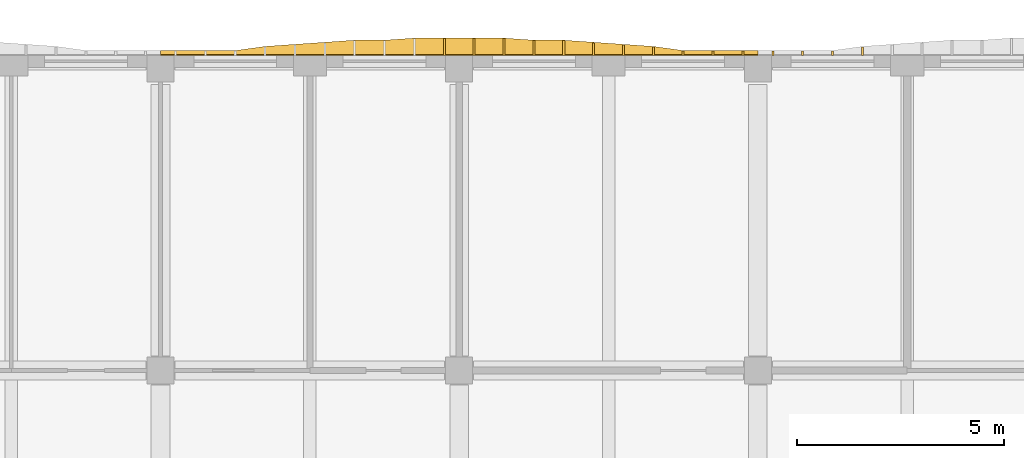
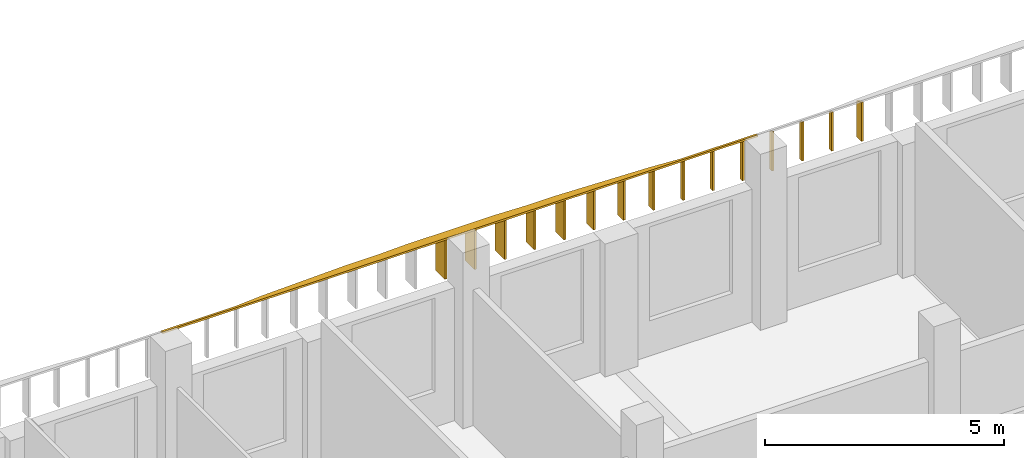
# One storey, part 45 of 58: 16 shading devices.
"""IFC4 building model written with IfcOpenShell, lengths in metres."""

import ifcopenshell
import ifcopenshell.guid

model = None  # the IFC model being written
_history = None  # IfcOwnerHistory: only IFC2X3 demands one
_inside = {}  # id of a spatial element -> (the spatial element, [elements in it])
_under = {}  # id of a project, library or spatial element -> (it, [spatial elements below it])
_declared = {}  # id of a project -> (the project, [libraries it declares])
_typed = {}  # id of a type object -> (the type object, [elements of that type])
_made_of = {}  # id of a material, layer set ... -> (it, [elements and type objects made of it])


def new_model(schema):
    """Start an empty IFC model of exactly this schema.

    Asked for "IFC4X3", IfcOpenShell would pick the latest addendum, in which some entities
    have other attributes; the version numbers below select the first issue.
    IFC2X3 requires an IfcOwnerHistory on every rooted entity: one is made here for all.
    """
    global model, _history
    if schema == "IFC4X3":
        model = ifcopenshell.file(schema_version=(4, 3, 0, 0))
    else:
        model = ifcopenshell.file(schema=schema)
    _inside.clear()
    _under.clear()
    _declared.clear()
    _typed.clear()
    _made_of.clear()
    _history = None
    if model.schema == "IFC2X3":
        org = make("IfcOrganization", Name="unknown")
        user = make(
            "IfcPersonAndOrganization",
            ThePerson=make("IfcPerson", FamilyName="unknown"),
            TheOrganization=org,
        )
        app = make(
            "IfcApplication",
            ApplicationDeveloper=org,
            Version="unknown",
            ApplicationFullName="unknown",
            ApplicationIdentifier="unknown",
        )
        _history = make(
            "IfcOwnerHistory",
            OwningUser=user,
            OwningApplication=app,
            ChangeAction="ADDED",
            CreationDate=0,
        )
    return model


def make(cls, **values):
    """One entity of the class cls with the attributes given. An attribute that is None is left unset."""
    return model.create_entity(
        cls, **{name: value for name, value in values.items() if value is not None}
    )


def rooted(cls, **values):
    """An entity with a GlobalId (a new one), such as an element, a storey or a relation."""
    return make(cls, GlobalId=ifcopenshell.guid.new(), OwnerHistory=_history, **values)


def si_unit(unit_type, name, prefix=None):
    """IfcSIUnit, for example si_unit("LENGTHUNIT", "METRE", prefix="MILLI")."""
    return make("IfcSIUnit", UnitType=unit_type, Prefix=prefix, Name=name)


def assignment(units):
    """IfcUnitAssignment: the units of a project."""
    return None if units is None else make("IfcUnitAssignment", Units=units)


def point(xyz):
    """IfcCartesianPoint."""
    return None if xyz is None else make("IfcCartesianPoint", Coordinates=xyz)


def direction(xyz):
    """IfcDirection."""
    return None if xyz is None else make("IfcDirection", DirectionRatios=xyz)


def frame(location, z_axis=None, x_axis=None):
    """IfcAxis2Placement3D, a coordinate frame: its origin and axes. An axis left out is left unset."""
    return make(
        "IfcAxis2Placement3D",
        Location=point(location),
        Axis=direction(z_axis),
        RefDirection=direction(x_axis),
    )


def origin():
    """The frame at (0, 0, 0) with its axes left unset."""
    return frame((0.0, 0.0, 0.0))


def place(relative_to, where):
    """IfcLocalPlacement: puts the frame where relative to a parent placement (None: the world)."""
    return make(
        "IfcLocalPlacement", PlacementRelTo=relative_to, RelativePlacement=where
    )


def context(
    kind, dimensions, precision=None, world=None, true_north=None, identifier=None
):
    """IfcGeometricRepresentationContext, for example the 3D "Model" context."""
    return make(
        "IfcGeometricRepresentationContext",
        ContextIdentifier=identifier,
        ContextType=kind,
        CoordinateSpaceDimension=dimensions,
        Precision=precision,
        WorldCoordinateSystem=world,
        TrueNorth=true_north,
    )


def subcontext(parent, identifier, kind, view, scale=None):
    """IfcGeometricRepresentationSubContext, for example "Body" below "Model"."""
    return make(
        "IfcGeometricRepresentationSubContext",
        ContextIdentifier=identifier,
        ContextType=kind,
        ParentContext=parent,
        TargetScale=scale,
        TargetView=view,
    )


def project(units=None, contexts=None):
    """IfcProject with its units and contexts."""
    return rooted(
        "IfcProject",
        Name="project",
        RepresentationContexts=contexts,
        UnitsInContext=assignment(units),
    )


def spatial(cls, under=None, at=None, **own):
    """A site, building, storey or space (cls), placed at a placement, below another one or the project."""
    s = rooted(cls, ObjectPlacement=at, **own)
    if under is not None:
        _under.setdefault(under.id(), (under, []))[1].append(s)
    return s


def polyline(points):
    """IfcPolyline through the points."""
    return make("IfcPolyline", Points=[point(p) for p in points])


def outline(outer, holes=None, kind="AREA"):
    """IfcArbitraryClosedProfileDef: a profile drawn as a closed curve; with holes, ...WithVoids."""
    if holes is None:
        return make("IfcArbitraryClosedProfileDef", ProfileType=kind, OuterCurve=outer)
    return make(
        "IfcArbitraryProfileDefWithVoids",
        ProfileType=kind,
        OuterCurve=outer,
        InnerCurves=holes,
    )


def extrude(swept, where, along, depth):
    """IfcExtrudedAreaSolid: the profile swept, set in the frame where, extruded along a direction by depth."""
    return make(
        "IfcExtrudedAreaSolid",
        SweptArea=swept,
        Position=where,
        ExtrudedDirection=direction(along),
        Depth=depth,
    )


def shape(context_of_items, identifier, shape_type, items):
    """IfcShapeRepresentation: the items that make up one representation, for example the "Body"."""
    return make(
        "IfcShapeRepresentation",
        ContextOfItems=context_of_items,
        RepresentationIdentifier=identifier,
        RepresentationType=shape_type,
        Items=items,
    )


def material(Name=None, Category=None):
    """IfcMaterial."""
    return make("IfcMaterial", Name=Name, Category=Category)


def layer(
    of_material, thickness, ventilated=None, Name=None, Category=None, Priority=None
):
    """IfcMaterialLayer: one layer of a wall or slab, of a material (None: an air gap)."""
    return make(
        "IfcMaterialLayer",
        Material=of_material,
        LayerThickness=thickness,
        IsVentilated=ventilated,
        Name=Name,
        Category=Category,
        Priority=Priority,
    )


def layer_set(layers, Name=None):
    """IfcMaterialLayerSet."""
    return make("IfcMaterialLayerSet", MaterialLayers=layers, LayerSetName=Name)


def made_of(thing, what):
    """Note that an element or type object is made of a material, layer set ...; save() writes the relation."""
    if what is not None:
        _made_of.setdefault(what.id(), (what, []))[1].append(thing)
    return thing


def type_object(cls, material=None, **own):
    """A type object (cls), such as IfcWallType, which elements share."""
    return made_of(rooted(cls, **own), material)


def element(
    cls,
    number,
    at=None,
    inside=None,
    cuts=None,
    type_object=None,
    material=None,
    context=None,
    identifier="Body",
    shape_type=None,
    held_by="IfcProductDefinitionShape",
    body=None,
    shapes=None,
    **own,
):
    """One element of the class cls, such as IfcWall. Its Tag is "e" and its number.

    at: its placement. inside: the storey or other place that contains it. cuts: it is an
    opening in that element (IfcRelVoidsElement). A single representation is given by context,
    identifier, shape_type and body (its items); several are given by shapes. held_by: the class
    of the entity that holds the representations. save() writes the other relations.
    """
    e = rooted(cls, Tag="e%d" % number, ObjectPlacement=at, **own)
    if body is not None:
        shapes = [shape(context, identifier, shape_type, body)]
    if shapes is not None:
        e.Representation = make(held_by, Representations=shapes)
    if inside is not None:
        _inside.setdefault(inside.id(), (inside, []))[1].append(e)
    if cuts is not None:
        rooted(
            "IfcRelVoidsElement", RelatingBuildingElement=cuts, RelatedOpeningElement=e
        )
    if type_object is not None:
        _typed.setdefault(type_object.id(), (type_object, []))[1].append(e)
    return made_of(e, material)


def aggregate(whole, parts):
    """IfcRelAggregates: a whole, such as a stair, and the parts it consists of."""
    return rooted("IfcRelAggregates", RelatingObject=whole, RelatedObjects=parts)


def save(model, path):
    """Write the relations noted so far, then the file.

    IfcRelAggregates (storeys below a building ...), IfcRelContainedInSpatialStructure (elements
    in a storey), IfcRelDefinesByType, IfcRelAssociatesMaterial and IfcRelDeclares: one each for
    every whole, place, type object, material and project.
    """
    for whole, parts in _under.values():
        aggregate(whole, parts)
    for where, things in _inside.values():
        rooted(
            "IfcRelContainedInSpatialStructure",
            RelatedElements=things,
            RelatingStructure=where,
        )
    for kind, things in _typed.values():
        rooted("IfcRelDefinesByType", RelatedObjects=things, RelatingType=kind)
    for what, things in _made_of.values():
        rooted("IfcRelAssociatesMaterial", RelatedObjects=things, RelatingMaterial=what)
    for by, libraries in _declared.values():
        rooted("IfcRelDeclares", RelatingContext=by, RelatedDefinitions=libraries)
    model.write(path)


model = new_model("IFC4")

# Units and contexts
model_context = context("Model", 3, precision=1e-05, world=origin(), true_north=direction((0.0, 1.0)))
body_context = subcontext(model_context, "Body", "Model", "MODEL_VIEW")
ifc_project = project(units=[si_unit("LENGTHUNIT", "METRE"), si_unit("AREAUNIT", "SQUARE_METRE"), si_unit("VOLUMEUNIT", "CUBIC_METRE"), si_unit("PLANEANGLEUNIT", "RADIAN"), si_unit("MASSUNIT", "GRAM", prefix="KILO")], contexts=[model_context])

# Site, building, storey
site_placement = place(None, origin())
site = spatial("IfcSite", under=ifc_project, at=site_placement, CompositionType="ELEMENT")
building_placement = place(site_placement, origin())
building = spatial("IfcBuilding", under=site, at=building_placement, Name="Ussher Court Research Institute", CompositionType="ELEMENT")
storey_placement = place(building_placement, frame((0.0, 0.0, 9.89990234375)))
storey = spatial("IfcBuildingStorey", under=building, at=storey_placement, Name="L02", CompositionType="ELEMENT", Elevation=9.89990234375)

# Shading devices
ifc_material_1 = material(Name="Bronze anodised aluminium", Category="aluminium")
ifc_layer_1 = layer(ifc_material_1, 0.050048828125)
ifc_layer_set_1 = layer_set([ifc_layer_1], Name="Bronze anodised aluminium")
shading_device_type_1 = type_object("IfcShadingDeviceType", Name="Brim blade 100 mm deep 1000 mm high canted 20 deg dry", PredefinedType="USERDEFINED", material=ifc_layer_set_1)
for number, where, z_axis, x_axis, name in (
    (1, (30.0, 90.800048828125, 3.4501953125), (0.0, 0.0, 1.0), (0.0, 1.0, 0.0), "Brim blade BS17 L02"),
    (2, (30.719970703125, 90.800048828125, 3.4501953125), (0.0, 0.0, 1.0), (0.0, 1.0, 0.0), "Brim blade BS17 L02"),
    (3, (31.43994140625, 90.800048828125, 3.4501953125), (0.0, 0.0, 1.0), (0.0, 1.0, 0.0), "Brim blade BS17 L02"),
    (4, (32.159912109375, 90.800048828125, 3.4501953125), (0.0, 0.0, 1.0), (0.0, 1.0, 0.0), "Brim blade BS17 L02"),
    (5, (32.8798828125, 90.800048828125, 3.4501953125), (0.0, 0.0, 1.0), (0.0, 1.0, 0.0), "Brim blade BS17 L02"),
    (6, (33.60009765625, 90.800048828125, 3.4501953125), (0.0, 0.0, 1.0), (0.0, 1.0, 0.0), "Brim blade BS17 L02"),
):
    element("IfcShadingDevice", number, at=place(storey_placement, frame(where, z_axis=z_axis, x_axis=x_axis)), inside=storey, type_object=shading_device_type_1, Name=name, ObjectType="BLADE", PredefinedType="USERDEFINED", context=body_context, shape_type="SweptSolid", body=[
        extrude(outline(polyline([(0.0, 0.0), (0.099853515625, 0.0), (0.10009765625, 0.963623046875), (0.0, 1.0), (0.0, 0.0)])), frame((0.0, 0.02490234375, 0.0), z_axis=(0.0, -1.0, 0.0), x_axis=(1.0, 0.0, 0.0)), (0.0, 0.0, 1.0), 0.050048828125),
    ])
ifc_material_2 = material(Name="Bronze anodised aluminium", Category="aluminium")
ifc_layer_2 = layer(ifc_material_2, 0.050048828125)
ifc_layer_set_2 = layer_set([ifc_layer_2], Name="Bronze anodised aluminium")
shading_device_type_2 = type_object("IfcShadingDeviceType", Name="Brim blade 200 mm deep 1000 mm high canted 20 deg dry", PredefinedType="USERDEFINED", material=ifc_layer_set_2)
for number, where, z_axis, x_axis, name in (
    (7, (29.280029296875, 90.800048828125, 3.4501953125), (0.0, 0.0, 1.0), (0.0, 1.0, 0.0), "Brim blade BS15 L02"),
    (8, (34.320068359375, 90.800048828125, 3.4501953125), (0.0, 0.0, 1.0), (0.0, 1.0, 0.0), "Brim blade BS15 L02"),
):
    element("IfcShadingDevice", number, at=place(storey_placement, frame(where, z_axis=z_axis, x_axis=x_axis)), inside=storey, type_object=shading_device_type_2, Name=name, ObjectType="BLADE", PredefinedType="USERDEFINED", context=body_context, shape_type="SweptSolid", body=[
        extrude(outline(polyline([(0.0, 0.0), (0.199951171875, 0.0), (0.199951171875, 0.927001953125), (0.0, 1.0), (0.0, 0.0)])), frame((0.0, 0.02490234375, 0.0), z_axis=(0.0, -1.0, 0.0), x_axis=(1.0, 0.0, 0.0)), (0.0, 0.0, 1.0), 0.050048828125),
    ])
ifc_material_3 = material(Name="Bronze anodised aluminium", Category="aluminium")
ifc_layer_3 = layer(ifc_material_3, 0.050048828125)
ifc_layer_set_3 = layer_set([ifc_layer_3], Name="Bronze anodised aluminium")
shading_device_type_3 = type_object("IfcShadingDeviceType", Name="Brim blade 250 mm deep 1000 mm high canted 20 deg dry", PredefinedType="USERDEFINED", material=ifc_layer_set_3)
shading_device_1_placement = place(storey_placement, frame((28.56005859375, 90.800048828125, 3.4501953125), z_axis=(0.0, 0.0, 1.0), x_axis=(0.0, 1.0, 0.0)))
element("IfcShadingDevice", 9, at=shading_device_1_placement, inside=storey, type_object=shading_device_type_3, Name="Brim blade BS14 L02", ObjectType="BLADE", PredefinedType="USERDEFINED", context=body_context, shape_type="SweptSolid", body=[
    extrude(outline(polyline([(0.0, 0.0), (0.25, 0.0), (0.25, 0.908935546875), (0.0, 1.0), (0.0, 0.0)])), frame((0.0, 0.02490234375, 0.0), z_axis=(0.0, -1.0, 0.0), x_axis=(1.0, 0.0, 0.0)), (0.0, 0.0, 1.0), 0.050048828125),
])
ifc_material_4 = material(Name="Bronze anodised aluminium", Category="aluminium")
ifc_layer_4 = layer(ifc_material_4, 0.050048828125)
ifc_layer_set_4 = layer_set([ifc_layer_4], Name="Bronze anodised aluminium")
shading_device_type_4 = type_object("IfcShadingDeviceType", Name="Brim blade 300 mm deep 1000 mm high canted 20 deg dry", PredefinedType="USERDEFINED", material=ifc_layer_set_4)
shading_device_2_placement = place(storey_placement, frame((27.840087890625, 90.800048828125, 3.4501953125), z_axis=(0.0, 0.0, 1.0), x_axis=(0.0, 1.0, 0.0)))
element("IfcShadingDevice", 10, at=shading_device_2_placement, inside=storey, type_object=shading_device_type_4, Name="Brim blade BS13 L02", ObjectType="BLADE", PredefinedType="USERDEFINED", context=body_context, shape_type="SweptSolid", body=[
    extrude(outline(polyline([(0.0, 0.0), (0.300048828125, 0.0), (0.300048828125, 0.890625), (0.0, 1.0), (0.0, 0.0)])), frame((0.0, 0.02490234375, 0.0), z_axis=(0.0, -1.0, 0.0), x_axis=(1.0, 0.0, 0.0)), (0.0, 0.0, 1.0), 0.050048828125),
])
ifc_material_5 = material(Name="Bronze anodised aluminium", Category="aluminium")
ifc_layer_5 = layer(ifc_material_5, 0.050048828125)
ifc_layer_set_5 = layer_set([ifc_layer_5], Name="Bronze anodised aluminium")
shading_device_type_5 = type_object("IfcShadingDeviceType", Name="Brim blade 350 mm deep 1000 mm high canted 20 deg dry", PredefinedType="USERDEFINED", material=ifc_layer_set_5)
for number, where, z_axis, x_axis, name in (
    (11, (26.39990234375, 90.800048828125, 3.4501953125), (0.0, 0.0, 1.0), (0.0, 1.0, 0.0), "Brim blade BS12 L02"),
    (12, (27.1201171875, 90.800048828125, 3.4501953125), (0.0, 0.0, 1.0), (0.0, 1.0, 0.0), "Brim blade BS12 L02"),
):
    element("IfcShadingDevice", number, at=place(storey_placement, frame(where, z_axis=z_axis, x_axis=x_axis)), inside=storey, type_object=shading_device_type_5, Name=name, ObjectType="BLADE", PredefinedType="USERDEFINED", context=body_context, shape_type="SweptSolid", body=[
        extrude(outline(polyline([(0.0, 0.0), (0.349853515625, 0.0), (0.35009765625, 0.87255859375), (0.0, 1.0), (0.0, 0.0)])), frame((0.0, 0.02490234375, 0.0), z_axis=(0.0, -1.0, 0.0), x_axis=(1.0, 0.0, 0.0)), (0.0, 0.0, 1.0), 0.050048828125),
    ])
ifc_material_6 = material(Name="Bronze anodised aluminium", Category="aluminium")
ifc_layer_6 = layer(ifc_material_6, 0.050048828125)
ifc_layer_set_6 = layer_set([ifc_layer_6], Name="Bronze anodised aluminium")
shading_device_type_6 = type_object("IfcShadingDeviceType", Name="Brim blade 400 mm deep 1000 mm high canted 20 deg dry", PredefinedType="USERDEFINED", material=ifc_layer_set_6)
for number, where, z_axis, x_axis, name in (
    (13, (24.239990234375, 90.800048828125, 3.4501953125), (0.0, 0.0, 1.0), (0.0, 1.0, 0.0), "Brim blade BS11 L02"),
    (14, (24.9599609375, 90.800048828125, 3.4501953125), (0.0, 0.0, 1.0), (0.0, 1.0, 0.0), "Brim blade BS11 L02"),
    (15, (25.679931640625, 90.800048828125, 3.4501953125), (0.0, 0.0, 1.0), (0.0, 1.0, 0.0), "Brim blade BS11 L02"),
):
    element("IfcShadingDevice", number, at=place(storey_placement, frame(where, z_axis=z_axis, x_axis=x_axis)), inside=storey, type_object=shading_device_type_6, Name=name, ObjectType="BLADE", PredefinedType="USERDEFINED", context=body_context, shape_type="SweptSolid", body=[
        extrude(outline(polyline([(0.0, 0.0), (0.39990234375, 0.0), (0.39990234375, 0.854248046875), (0.0, 1.0), (0.0, 0.0)])), frame((0.0, 0.02490234375, 0.0), z_axis=(0.0, -1.0, 0.0), x_axis=(1.0, 0.0, 0.0)), (0.0, 0.0, 1.0), 0.050048828125),
    ])
ifc_material_7 = material(Name="Bronze anodised aluminium", Category="aluminium")
ifc_layer_7 = layer(ifc_material_7, 0.0400390625)
ifc_layer_set_7 = layer_set([ifc_layer_7], Name="Bronze anodised aluminium")
shading_device_type_7 = type_object("IfcShadingDeviceType", Name="Brim visor sheet 40 mm canted 20 deg dry", PredefinedType="USERDEFINED", material=ifc_layer_set_7)
shading_device_3_placement = place(storey_placement, frame((17.39990234375, 90.813720703125, 4.48779296875), z_axis=(0.0, 0.342255779972, 0.9396068226), x_axis=(1.0, 0.0, 0.0)))
element("IfcShadingDevice", 16, at=shading_device_3_placement, inside=storey, type_object=shading_device_type_7, Name="Brim visor sheet BR2 L02", ObjectType="BRIM", PredefinedType="USERDEFINED", context=body_context, shape_type="SweptSolid", body=[
    extrude(outline(polyline([(0.0, 0.0), (14.400146484375, 0.0), (14.400146484375, 0.10650266320353347), (14.0400390625, 0.10650266320353347), (13.320068359375, 0.10650266320353347), (12.60009765625, 0.10650266320353347), (11.880126953125, 0.21285948875017546), (11.16015625, 0.2660690410819261), (10.440185546875, 0.319362151953709), (9.72021484375, 0.3725717042854596), (9.0, 0.3725717042854596), (8.280029296875, 0.4256354189603187), (7.56005859375, 0.4256354189603187), (6.840087890625, 0.4256354189603187), (6.1201171875, 0.4256354189603187), (5.400146484375, 0.3725717042854596), (4.68017578125, 0.3725717042854596), (3.960205078125, 0.319362151953709), (3.239990234375, 0.2660690410819261), (2.52001953125, 0.21285948875017546), (1.800048828125, 0.10650266320353347), (1.080078125, 0.10650266320353347), (0.360107421875, 0.10650266320353347), (0.0, 0.10650266320353347), (0.0, 0.0)])), origin(), (0.0, 0.0, -1.0), 0.0400390625),
])

save(model, "model.ifc")
